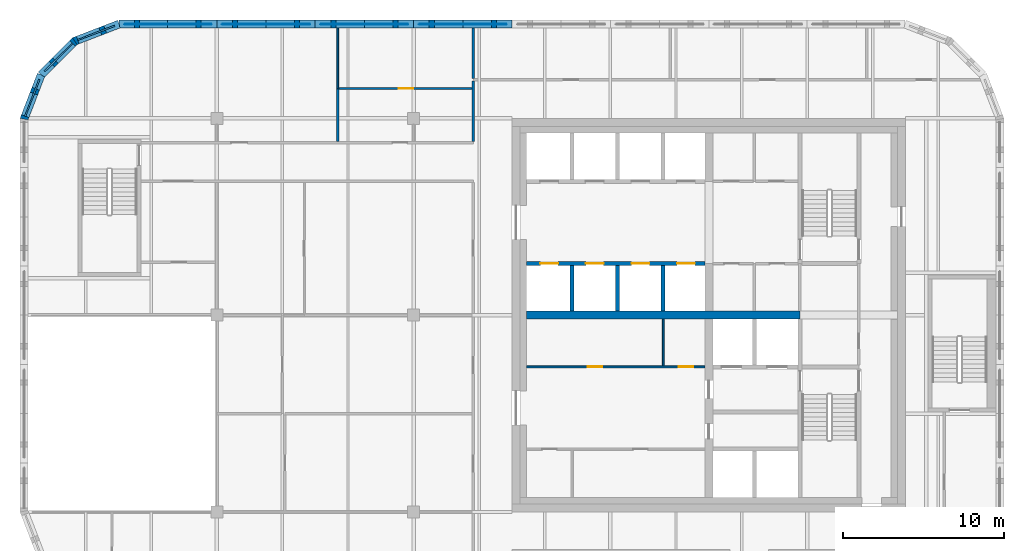
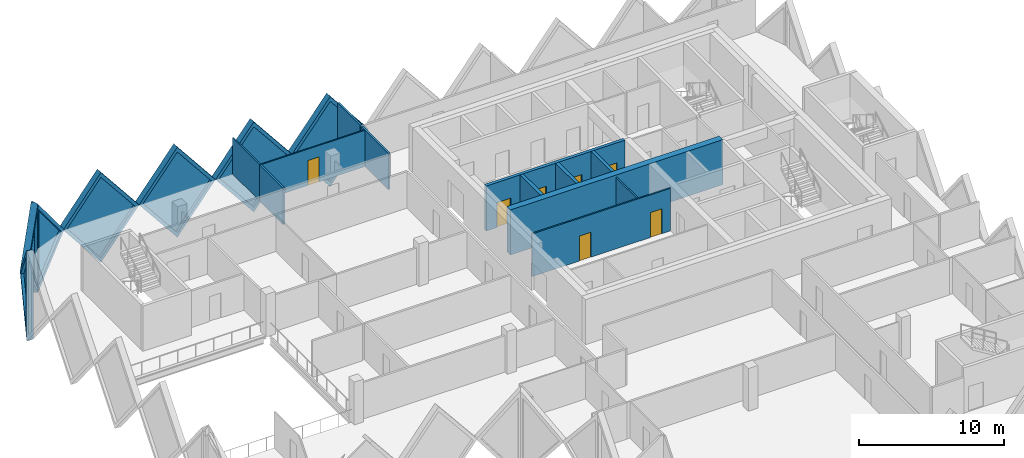
# One storey, part 8 of 12: 19 walls, 7 doors, 7 plates, 14 openings.
"""IFC4 building model written with IfcOpenShell, lengths in metres."""

from ifc_helpers import new_model, si_unit, direction, frame, frame_2d, origin, place, context, subcontext, project, spatial, polyline, rectangle, outline, extrude, faceted_brep, source, transform, mapped, material, layer, layer_set, type_object, element, fill, save


model = new_model("IFC4")

# Units and contexts
model_context = context("Model", 3, precision=1e-05, world=origin(), true_north=direction((0.0, 1.0)))
body_context = subcontext(model_context, "Body", "Model", "MODEL_VIEW")
ifc_project = project(units=[si_unit("LENGTHUNIT", "METRE"), si_unit("AREAUNIT", "SQUARE_METRE"), si_unit("VOLUMEUNIT", "CUBIC_METRE"), si_unit("PLANEANGLEUNIT", "RADIAN"), si_unit("MASSUNIT", "GRAM", prefix="KILO")], contexts=[model_context])

# Site, building, storey
site_placement = place(None, origin())
site = spatial("IfcSite", under=ifc_project, at=site_placement, CompositionType="ELEMENT")
building_placement = place(site_placement, origin())
building = spatial("IfcBuilding", under=site, at=building_placement, Name="Tessera Gate Towers", CompositionType="ELEMENT")
storey_placement = place(building_placement, frame((0.0, 0.0, 209.300048828125)))
storey = spatial("IfcBuildingStorey", under=building, at=storey_placement, Name="L52", CompositionType="ELEMENT", Elevation=209.300048828125)

# Wall, openings, doors
ifc_material_1 = material(Name="Concrete C40/50", Category="concrete")
ifc_layer_1 = layer(ifc_material_1, 0.25)
ifc_layer_set_1 = layer_set([ifc_layer_1], Name="CORE ENCLOSURE WALL 250")
wall_type_1 = type_object("IfcWallType", Name="CORE ENCLOSURE WALL 250", PredefinedType="SOLIDWALL", material=ifc_layer_set_1)
wall_1_placement = place(storey_placement, frame((31.39990234375, 39.800048828125, 0.0), z_axis=(0.0, 0.0, 1.0), x_axis=(1.0, 0.0, 0.0)))
wall_1 = element("IfcWall", 1, at=wall_1_placement, inside=storey, type_object=wall_type_1, Name="L52 shaft and stair enclosure wall", PredefinedType="SOLIDWALL", context=body_context, shape_type="SweptSolid", body=[
    extrude(rectangle(XDim=11.050048828125, YDim=0.25, at=frame_2d((5.52490234375, 0.0))), origin(), (0.0, 0.0, 1.0), 3.800048828125),
])
shared_shape_1 = source(origin(), body_context, "Body", "SweptSolid", [
    extrude(rectangle(XDim=1.10009765625, YDim=2.10009765625, at=frame_2d((0.550048828125, 1.050048828125))), frame((0.0, 0.135009765625, 0.0), z_axis=(0.0, -1.0, 0.0), x_axis=(1.0, 0.0, 0.0)), (0.0, 0.0, 1.0), 0.27001953125),
])
opening_1_placement = place(wall_1_placement, frame((0.862548828125, 0.0, 0.0)))
opening_1 = element("IfcOpeningElement", 2, at=opening_1_placement, cuts=wall_1, Name="Opening LD-HR1", PredefinedType="OPENING", context=body_context, shape_type="MappedRepresentation", body=[
    mapped(shared_shape_1, transform((0.0, 0.0, 0.0), scale=1.0)),
])
opening_2_placement = place(wall_1_placement, frame((3.6875, 0.0, 0.0)))
opening_2 = element("IfcOpeningElement", 3, at=opening_2_placement, cuts=wall_1, Name="Opening LD-HR2", PredefinedType="OPENING", context=body_context, shape_type="MappedRepresentation", body=[
    mapped(shared_shape_1, transform((0.0, 0.0, 0.0), scale=1.0)),
])
opening_3_placement = place(wall_1_placement, frame((6.512451171875, 0.0, 0.0)))
opening_3 = element("IfcOpeningElement", 4, at=opening_3_placement, cuts=wall_1, Name="Opening LD-HR3", PredefinedType="OPENING", context=body_context, shape_type="MappedRepresentation", body=[
    mapped(shared_shape_1, transform((0.0, 0.0, 0.0), scale=1.0)),
])
opening_4_placement = place(wall_1_placement, frame((9.33740234375, 0.0, 0.0)))
opening_4 = element("IfcOpeningElement", 5, at=opening_4_placement, cuts=wall_1, Name="Opening LD-HR4", PredefinedType="OPENING", context=body_context, shape_type="MappedRepresentation", body=[
    mapped(shared_shape_1, transform((0.0, 0.0, 0.0), scale=1.0)),
])
ifc_material_2 = material(Name="Stainless steel", Category="steel")
door_type_1 = type_object("IfcDoorType", Name="CORE DOOR LD 1100x2100", OperationType="DOUBLE_DOOR_SLIDING", PredefinedType="DOOR", material=ifc_material_2)
shared_shape_2 = source(origin(), body_context, "Body", "SweptSolid", [
    extrude(rectangle(XDim=1.10009765625, YDim=2.10009765625, at=frame_2d((0.550048828125, 1.050048828125))), frame((0.0, 0.02490234375, 0.0), z_axis=(0.0, -1.0, 0.0), x_axis=(1.0, 0.0, 0.0)), (0.0, 0.0, 1.0), 0.050048828125),
])
door_1_placement = place(opening_1_placement, origin())
door_1 = element("IfcDoor", 6, at=door_1_placement, inside=storey, type_object=door_type_1, Name="Landing door HR1 L52", OperationType="DOUBLE_DOOR_SLIDING", OverallHeight=2.10009765625, OverallWidth=1.10009765625, PredefinedType="DOOR", context=body_context, shape_type="MappedRepresentation", body=[
    mapped(shared_shape_2, transform((0.0, 0.0, 0.0), scale=1.0)),
])
fill(opening_1, door_1)
door_2_placement = place(opening_2_placement, origin())
door_2 = element("IfcDoor", 7, at=door_2_placement, inside=storey, type_object=door_type_1, Name="Landing door HR2 L52", OperationType="DOUBLE_DOOR_SLIDING", OverallHeight=2.10009765625, OverallWidth=1.10009765625, PredefinedType="DOOR", context=body_context, shape_type="MappedRepresentation", body=[
    mapped(shared_shape_2, transform((0.0, 0.0, 0.0), scale=1.0)),
])
fill(opening_2, door_2)
door_3_placement = place(opening_3_placement, origin())
door_3 = element("IfcDoor", 8, at=door_3_placement, inside=storey, type_object=door_type_1, Name="Landing door HR3 L52", OperationType="DOUBLE_DOOR_SLIDING", OverallHeight=2.10009765625, OverallWidth=1.10009765625, PredefinedType="DOOR", context=body_context, shape_type="MappedRepresentation", body=[
    mapped(shared_shape_2, transform((0.0, 0.0, 0.0), scale=1.0)),
])
fill(opening_3, door_3)
door_4_placement = place(opening_4_placement, origin())
door_4 = element("IfcDoor", 9, at=door_4_placement, inside=storey, type_object=door_type_1, Name="Landing door HR4 L52", OperationType="DOUBLE_DOOR_SLIDING", OverallHeight=2.10009765625, OverallWidth=1.10009765625, PredefinedType="DOOR", context=body_context, shape_type="MappedRepresentation", body=[
    mapped(shared_shape_2, transform((0.0, 0.0, 0.0), scale=1.0)),
])
fill(opening_4, door_4)

# Walls
for number, where, z_axis, x_axis, name in (
    (10, (34.22509765625, 36.85009765625, 0.0), (0.0, 0.0, 1.0), (0.0, 1.0, 0.0), "L52 shaft and stair enclosure wall"),
    (11, (37.050048828125, 36.85009765625, 0.0), (0.0, 0.0, 1.0), (0.0, 1.0, 0.0), "L52 shaft and stair enclosure wall"),
    (12, (39.875, 36.85009765625, 0.0), (0.0, 0.0, 1.0), (0.0, 1.0, 0.0), "L52 shaft and stair enclosure wall"),
):
    element("IfcWall", number, at=place(storey_placement, frame(where, z_axis=z_axis, x_axis=x_axis)), inside=storey, type_object=wall_type_1, Name=name, PredefinedType="SOLIDWALL", context=body_context, shape_type="SweptSolid", body=[
        extrude(rectangle(XDim=2.824951171875, YDim=0.25, at=frame_2d((1.41259765625, 0.0))), origin(), (0.0, 0.0, 1.0), 3.800048828125),
    ])

# Wall, openings, doors
ifc_material_3 = material(Name="Gypsum board on steel studs", Category="steel")
ifc_layer_2 = layer(ifc_material_3, 0.1201171875)
ifc_layer_set_2 = layer_set([ifc_layer_2], Name="CORE PARTITION 120")
wall_type_2 = type_object("IfcWallType", Name="CORE PARTITION 120", PredefinedType="PARTITIONING", material=ifc_layer_set_2)
wall_2_placement = place(storey_placement, frame((31.39990234375, 33.39990234375, 0.0), z_axis=(0.0, 0.0, 1.0), x_axis=(1.0, 0.0, 0.0)))
wall_2 = element("IfcWall", 13, at=wall_2_placement, inside=storey, type_object=wall_type_2, Name="L52 core partition", PredefinedType="PARTITIONING", context=body_context, shape_type="SweptSolid", body=[
    extrude(rectangle(XDim=11.050048828125, YDim=0.1201171875, at=frame_2d((5.52490234375, 0.0))), origin(), (0.0, 0.0, 1.0), 3.599853515625),
])
shared_shape_3 = source(origin(), body_context, "Body", "SweptSolid", [
    extrude(rectangle(XDim=0.89990234375, YDim=2.10009765625, at=frame_2d((0.449951171875, 1.050048828125))), frame((0.0, 0.070068359375, 0.0), z_axis=(0.0, -1.0, 0.0), x_axis=(1.0, 0.0, 0.0)), (0.0, 0.0, 1.0), 0.14013671875),
])
opening_5_placement = place(wall_2_placement, frame((3.78759765625, 0.0, 0.0)))
opening_5 = element("IfcOpeningElement", 14, at=opening_5_placement, cuts=wall_2, Name="Opening RD-T1-32-09", PredefinedType="OPENING", context=body_context, shape_type="MappedRepresentation", body=[
    mapped(shared_shape_3, transform((0.0, 0.0, 0.0), scale=1.0)),
])
opening_6_placement = place(wall_2_placement, frame((9.4375, 0.0, 0.0)))
opening_6 = element("IfcOpeningElement", 15, at=opening_6_placement, cuts=wall_2, Name="Opening RD-T1-32-10", PredefinedType="OPENING", context=body_context, shape_type="MappedRepresentation", body=[
    mapped(shared_shape_3, transform((0.0, 0.0, 0.0), scale=1.0)),
])
ifc_material_4 = material(Name="Hollow steel fire door", Category="steel")
door_type_2 = type_object("IfcDoorType", Name="CORE DOOR RD 900x2100", OperationType="NOTDEFINED", PredefinedType="DOOR", material=ifc_material_4)
shared_shape_4 = source(origin(), body_context, "Body", "SweptSolid", [
    extrude(rectangle(XDim=0.89990234375, YDim=2.10009765625, at=frame_2d((0.449951171875, 1.050048828125))), frame((0.0, 0.02490234375, 0.0), z_axis=(0.0, -1.0, 0.0), x_axis=(1.0, 0.0, 0.0)), (0.0, 0.0, 1.0), 0.050048828125),
])
door_5_placement = place(opening_5_placement, origin())
door_5 = element("IfcDoor", 16, at=door_5_placement, inside=storey, type_object=door_type_2, Name="Core room door", OperationType="SINGLE_SWING_LEFT", OverallHeight=2.10009765625, OverallWidth=0.89990234375, PredefinedType="DOOR", context=body_context, shape_type="MappedRepresentation", body=[
    mapped(shared_shape_4, transform((0.0, 0.0, 0.0), scale=1.0)),
])
fill(opening_5, door_5)
door_6_placement = place(opening_6_placement, origin())
door_6 = element("IfcDoor", 17, at=door_6_placement, inside=storey, type_object=door_type_2, Name="Core room door", OperationType="SINGLE_SWING_RIGHT", OverallHeight=2.10009765625, OverallWidth=0.89990234375, PredefinedType="DOOR", context=body_context, shape_type="MappedRepresentation", body=[
    mapped(shared_shape_4, transform((0.0, 0.0, 0.0), scale=1.0)),
])
fill(opening_6, door_6)

# Walls
wall_3_placement = place(storey_placement, frame((39.875, 33.4599609375, 0.0), z_axis=(0.0, 0.0, 1.0), x_axis=(0.0, 1.0, 0.0)))
element("IfcWall", 18, at=wall_3_placement, inside=storey, type_object=wall_type_2, Name="L52 core partition", PredefinedType="PARTITIONING", context=body_context, shape_type="SweptSolid", body=[
    extrude(rectangle(XDim=2.89013671875, YDim=0.1201171875, at=frame_2d((1.445068359375, 0.0))), origin(), (0.0, 0.0, 1.0), 3.599853515625),
])
ifc_material_5 = material(Name="Concrete C50/60", Category="concrete")
ifc_layer_3 = layer(ifc_material_5, 0.5)
ifc_layer_set_3 = layer_set([ifc_layer_3], Name="CORE SPINE WALL 500 C50/60")
wall_type_3 = type_object("IfcWallType", Name="CORE SPINE WALL 500 C50/60", PredefinedType="SHEAR", material=ifc_layer_set_3)
wall_4_placement = place(storey_placement, frame((31.39990234375, 36.60009765625, 0.0), z_axis=(0.0, 0.0, 1.0), x_axis=(1.0, 0.0, 0.0)))
element("IfcWall", 19, at=wall_4_placement, inside=storey, type_object=wall_type_3, Name="Core wall spine L52", PredefinedType="SHEAR", context=body_context, shape_type="SweptSolid", body=[
    extrude(rectangle(XDim=16.9501953125, YDim=0.5, at=frame_2d((8.47509765625, 0.0))), origin(), (0.0, 0.0, 1.0), 3.800048828125),
])
ifc_material_6 = material(Name="Gypsum board on steel studs, mineral wool", Category="steel")
ifc_layer_4 = layer(ifc_material_6, 0.14990234375)
ifc_layer_set_4 = layer_set([ifc_layer_4], Name="CORRIDOR WALL 150")
wall_type_4 = type_object("IfcWallType", Name="CORRIDOR WALL 150", PredefinedType="PARTITIONING", material=ifc_layer_set_4)
wall_5_placement = place(storey_placement, frame((28.10009765625, 47.3759765625, 0.0), z_axis=(0.0, 0.0, 1.0), x_axis=(0.0, 1.0, 0.0)))
element("IfcWall", 20, at=wall_5_placement, inside=storey, type_object=wall_type_4, Name="T1-L52-PW-048", PredefinedType="PARTITIONING", context=body_context, shape_type="SweptSolid", body=[
    extrude(rectangle(XDim=3.748046875, YDim=0.14990234375, at=frame_2d((1.8740234375, 0.0))), origin(), (0.0, 0.0, 1.0), 3.06689453125),
])
ifc_material_7 = material(Name="Glass", Category="glass")
ifc_layer_5 = layer(ifc_material_7, 0.10009765625)
ifc_layer_set_5 = layer_set([ifc_layer_5], Name="GLAZED PARTITION 100")
wall_type_5 = type_object("IfcWallType", Name="GLAZED PARTITION 100", PredefinedType="PARTITIONING", material=ifc_layer_set_5)
wall_6_placement = place(storey_placement, frame((19.699951171875, 50.65087890625, 0.0), z_axis=(0.0, 0.0, 1.0), x_axis=(0.0, 1.0, 0.0)))
element("IfcWall", 21, at=wall_6_placement, inside=storey, type_object=wall_type_5, Name="T1-L52-PW-051", PredefinedType="PARTITIONING", context=body_context, shape_type="SweptSolid", body=[
    extrude(rectangle(XDim=3.7490234375, YDim=0.10009765625, at=frame_2d((1.87451171875, 0.0))), origin(), (0.0, 0.0, 1.0), 3.06689453125),
])

# Wall, opening, door
wall_7_placement = place(storey_placement, frame((19.77587890625, 50.64990234375, 0.0), z_axis=(0.0, 0.0, 1.0), x_axis=(1.0, 0.0, 0.0)))
wall_7 = element("IfcWall", 22, at=wall_7_placement, inside=storey, type_object=wall_type_5, Name="T1-L52-PW-052", PredefinedType="PARTITIONING", context=body_context, shape_type="SweptSolid", body=[
    extrude(rectangle(XDim=8.248046875, YDim=0.10009765625, at=frame_2d((4.1240234375, 0.0))), origin(), (0.0, 0.0, 1.0), 3.06689453125),
])
shared_shape_5 = source(origin(), body_context, "Body", "SweptSolid", [
    extrude(rectangle(XDim=0.89990234375, YDim=2.10009765625, at=frame_2d((0.449951171875, 1.050048828125))), frame((0.0, 0.06005859375, 0.0), z_axis=(0.0, -1.0, 0.0), x_axis=(1.0, 0.0, 0.0)), (0.0, 0.0, 1.0), 0.1201171875),
])
opening_7_placement = place(wall_7_placement, frame((3.699951171875, 0.0, 0.0)))
opening_7 = element("IfcOpeningElement", 23, at=opening_7_placement, cuts=wall_7, Name="Opening D690-A19-07", PredefinedType="OPENING", context=body_context, shape_type="MappedRepresentation", body=[
    mapped(shared_shape_5, transform((0.0, 0.0, 0.0), scale=1.0)),
])
ifc_material_8 = material(Name="Glass in aluminium frame", Category="aluminium")
door_type_3 = type_object("IfcDoorType", Name="GLAZED DOOR 900 NOT RATED", OperationType="NOTDEFINED", PredefinedType="DOOR", material=ifc_material_8)
door_7_placement = place(opening_7_placement, origin())
door_7 = element("IfcDoor", 24, at=door_7_placement, inside=storey, type_object=door_type_3, Name="T1-L52-PD-019", OperationType="SINGLE_SWING_LEFT", OverallHeight=2.10009765625, OverallWidth=0.89990234375, PredefinedType="DOOR", context=body_context, shape_type="MappedRepresentation", body=[
    mapped(shared_shape_4, transform((0.0, 0.0, 0.0), scale=1.0)),
])
fill(opening_7, door_7)

# Walls
ifc_material_9 = material(Name="Gypsum board on steel studs, mineral wool", Category="steel")
ifc_layer_6 = layer(ifc_material_9, 0.14990234375)
ifc_layer_set_6 = layer_set([ifc_layer_6], Name="TENANCY WALL 150")
wall_type_6 = type_object("IfcWallType", Name="TENANCY WALL 150", PredefinedType="PARTITIONING", material=ifc_layer_set_6)
wall_8_placement = place(storey_placement, frame((19.699951171875, 47.3759765625, 0.0), z_axis=(0.0, 0.0, 1.0), x_axis=(0.0, 1.0, 0.0)))
element("IfcWall", 25, at=wall_8_placement, inside=storey, type_object=wall_type_6, Name="T1-L52-PW-047", PredefinedType="PARTITIONING", context=body_context, shape_type="SweptSolid", body=[
    extrude(rectangle(XDim=3.27392578125, YDim=0.14990234375, at=frame_2d((1.636962890625, 0.0))), origin(), (0.0, 0.0, 1.0), 3.06689453125),
])
wall_9_placement = place(storey_placement, frame((28.10009765625, 51.27587890625, 0.0), z_axis=(0.0, 0.0, 1.0), x_axis=(0.0, 1.0, 0.0)))
element("IfcWall", 26, at=wall_9_placement, inside=storey, type_object=wall_type_6, Name="T1-L52-PW-054", PredefinedType="PARTITIONING", context=body_context, shape_type="SweptSolid", body=[
    extrude(rectangle(XDim=3.1240234375, YDim=0.14990234375, at=frame_2d((1.56201171875, 0.0))), origin(), (0.0, 0.0, 1.0), 3.06689453125),
])

# Wall, opening, plate
ifc_material_10 = material(Name="Precast concrete C60/75 white", Category="concrete")
ifc_layer_7 = layer(ifc_material_10, 0.5)
ifc_layer_set_7 = layer_set([ifc_layer_7], Name="TS1 tessera")
wall_type_7 = type_object("IfcWallType", Name="TS1 tessera", PredefinedType="SOLIDWALL", material=ifc_layer_set_7)
shared_shape_6 = source(origin(), body_context, "Body", "Brep", [
    faceted_brep([(3.050048828125, -0.25, 0.0), (6.099853515625, -0.25, 3.7998046875), (6.099853515625, -0.25, 3.80029296875), (3.050048828125, -0.25, 7.60009765625), (0.0, -0.25, 3.800048828125), (0.0, 0.25, 3.800048828125), (3.050048828125, 0.25, 7.60009765625), (6.099853515625, 0.25, 3.80029296875), (6.099853515625, 0.25, 3.7998046875), (3.050048828125, 0.25, 0.0)], [[[0, 1, 2, 3, 4]], [[5, 6, 7, 8, 9]], [[9, 8, 1, 0]], [[7, 6, 3, 2]], [[6, 5, 4, 3]], [[5, 9, 0, 4]], [[1, 8, 7, 2]]]),
])
wall_10_placement = place(storey_placement, frame((24.39990234375, 54.64990234375, -3.800048828125), z_axis=(0.0, 0.0, 1.0), x_axis=(-1.0, 0.0, 0.0)))
wall_10 = element("IfcWall", 27, at=wall_10_placement, inside=storey, type_object=wall_type_7, Name="Precast tessera T1 TS1-0912", PredefinedType="SOLIDWALL", context=body_context, shape_type="MappedRepresentation", body=[
    mapped(shared_shape_6, transform((0.0, 0.0, 0.0), scale=1.0)),
])
shared_shape_7 = source(origin(), body_context, "Body", "SweptSolid", [
    extrude(outline(polyline([(3.050048828125, 0.3994140625), (5.779541015625, 3.800048828125), (3.050048828125, 7.20068359375), (0.320556640625, 3.800048828125), (3.050048828125, 0.3994140625)])), frame((0.0, 0.260009765625, 0.0), z_axis=(0.0, -1.0, 0.0), x_axis=(1.0, 0.0, 0.0)), (0.0, 0.0, 1.0), 0.52001953125),
])
opening_8_placement = place(wall_10_placement, origin())
opening_8 = element("IfcOpeningElement", 28, at=opening_8_placement, cuts=wall_10, Name="Opening T1-PL2-1856", PredefinedType="OPENING", context=body_context, shape_type="MappedRepresentation", body=[
    mapped(shared_shape_7, transform((0.0, 0.0, 0.0), scale=1.0)),
])
ifc_material_11 = material(Name="Low-e laminated glass", Category="glass")
ifc_layer_8 = layer(ifc_material_11, 0.06005859375)
ifc_layer_set_8 = layer_set([ifc_layer_8], Name="PL2 rhombic pane")
plate_type = type_object("IfcPlateType", Name="PL2 rhombic pane", PredefinedType="SHEET", material=ifc_layer_set_8)
shared_shape_8 = source(origin(), body_context, "Body", "SweptSolid", [
    extrude(outline(polyline([(3.050048828125, 0.3994140625), (5.779541015625, 3.800048828125), (3.050048828125, 7.20068359375), (0.320556640625, 3.800048828125), (3.050048828125, 0.3994140625)])), frame((0.0, 0.030029296875, 0.0), z_axis=(0.0, -1.0, 0.0), x_axis=(1.0, 0.0, 0.0)), (0.0, 0.0, 1.0), 0.06005859375),
])
plate_1_placement = place(opening_8_placement, origin())
plate_1 = element("IfcPlate", 29, at=plate_1_placement, inside=storey, type_object=plate_type, Name="Glass pane T1 PL2-1856", PredefinedType="SHEET", context=body_context, shape_type="MappedRepresentation", body=[
    mapped(shared_shape_8, transform((0.0, 0.0, 0.0), scale=1.0)),
])
fill(opening_8, plate_1)

shared_shape_9 = source(origin(), body_context, "Body", "SweptSolid", [
    extrude(outline(polyline([(3.050048828125, 0.0), (6.10009765625, 3.800048828125), (3.050048828125, 7.60009765625), (0.0, 3.800048828125), (3.050048828125, 0.0)])), frame((0.0, 0.25, 0.0), z_axis=(0.0, -1.0, 0.0), x_axis=(1.0, 0.0, 0.0)), (0.0, 0.0, 1.0), 0.5),
])
wall_11_placement = place(storey_placement, frame((30.5, 54.64990234375, -3.800048828125), z_axis=(0.0, 0.0, 1.0), x_axis=(-1.0, 0.0, 0.0)))
wall_11 = element("IfcWall", 30, at=wall_11_placement, inside=storey, type_object=wall_type_7, Name="Precast tessera T1 TS1-0911", PredefinedType="SOLIDWALL", context=body_context, shape_type="MappedRepresentation", body=[
    mapped(shared_shape_9, transform((0.0, 0.0, 0.0), scale=1.0)),
])
opening_9_placement = place(wall_11_placement, origin())
opening_9 = element("IfcOpeningElement", 31, at=opening_9_placement, cuts=wall_11, Name="Opening T1-PL2-1855", PredefinedType="OPENING", context=body_context, shape_type="MappedRepresentation", body=[
    mapped(shared_shape_7, transform((0.0, 0.0, 0.0), scale=1.0)),
])
plate_2_placement = place(opening_9_placement, origin())
plate_2 = element("IfcPlate", 32, at=plate_2_placement, inside=storey, type_object=plate_type, Name="Glass pane T1 PL2-1855", PredefinedType="SHEET", context=body_context, shape_type="MappedRepresentation", body=[
    mapped(shared_shape_8, transform((0.0, 0.0, 0.0), scale=1.0)),
])
fill(opening_9, plate_2)

wall_12_placement = place(storey_placement, frame((18.300048828125, 54.64990234375, -3.800048828125), z_axis=(0.0, 0.0, 1.0), x_axis=(-1.0, 0.0, 0.0)))
wall_12 = element("IfcWall", 33, at=wall_12_placement, inside=storey, type_object=wall_type_7, Name="Precast tessera T1 TS1-0913", PredefinedType="SOLIDWALL", context=body_context, shape_type="MappedRepresentation", body=[
    mapped(shared_shape_9, transform((0.0, 0.0, 0.0), scale=1.0)),
])
opening_10_placement = place(wall_12_placement, origin())
opening_10 = element("IfcOpeningElement", 34, at=opening_10_placement, cuts=wall_12, Name="Opening T1-PL2-1857", PredefinedType="OPENING", context=body_context, shape_type="MappedRepresentation", body=[
    mapped(shared_shape_7, transform((0.0, 0.0, 0.0), scale=1.0)),
])
plate_3_placement = place(opening_10_placement, origin())
plate_3 = element("IfcPlate", 35, at=plate_3_placement, inside=storey, type_object=plate_type, Name="Glass pane T1 PL2-1857", PredefinedType="SHEET", context=body_context, shape_type="MappedRepresentation", body=[
    mapped(shared_shape_8, transform((0.0, 0.0, 0.0), scale=1.0)),
])
fill(opening_10, plate_3)

shared_shape_10 = source(origin(), body_context, "Body", "Brep", [
    faceted_brep([(3.050048828125, -0.25, 0.0), (6.053466796875, -0.25, 3.800048828125), (3.050048828125, -0.25, 7.60009765625), (0.0, -0.25, 3.800048828125), (0.0, 0.25, 3.800048828125), (3.050048828125, 0.25, 7.60009765625), (6.0068359375, 0.25, 3.85888671875), (6.0068359375, 0.25, 3.7412109375), (3.050048828125, 0.25, 0.0), (6.053466796875, 0.0, 3.800048828125)], [[[0, 1, 2, 3]], [[4, 5, 6, 7, 8]], [[8, 7, 9, 1, 0]], [[6, 5, 2, 1, 9]], [[5, 4, 3, 2]], [[4, 8, 0, 3]], [[9, 7, 6]]]),
])
wall_13_placement = place(storey_placement, frame((12.199951171875, 54.64990234375, -3.800048828125), z_axis=(0.0, 0.0, 1.0), x_axis=(-1.0, 0.0, 0.0)))
wall_13 = element("IfcWall", 36, at=wall_13_placement, inside=storey, type_object=wall_type_7, Name="Precast tessera T1 TS1-0914", PredefinedType="SOLIDWALL", context=body_context, shape_type="MappedRepresentation", body=[
    mapped(shared_shape_10, transform((0.0, 0.0, 0.0), scale=1.0)),
])
shared_shape_11 = source(origin(), body_context, "Body", "SweptSolid", [
    extrude(outline(polyline([(3.048583984375, 0.4013671875), (5.73486328125, 3.800048828125), (3.048583984375, 7.19873046875), (0.320556640625, 3.800048828125), (3.048583984375, 0.4013671875)])), frame((0.0, 0.260009765625, 0.0), z_axis=(0.0, -1.0, 0.0), x_axis=(1.0, 0.0, 0.0)), (0.0, 0.0, 1.0), 0.52001953125),
])
opening_11_placement = place(wall_13_placement, origin())
opening_11 = element("IfcOpeningElement", 37, at=opening_11_placement, cuts=wall_13, Name="Opening T1-PL2-1858", PredefinedType="OPENING", context=body_context, shape_type="MappedRepresentation", body=[
    mapped(shared_shape_11, transform((0.0, 0.0, 0.0), scale=1.0)),
])
shared_shape_12 = source(origin(), body_context, "Body", "SweptSolid", [
    extrude(outline(polyline([(3.048583984375, 0.4013671875), (5.73486328125, 3.800048828125), (3.048583984375, 7.19873046875), (0.320556640625, 3.800048828125), (3.048583984375, 0.4013671875)])), frame((0.0, 0.030029296875, 0.0), z_axis=(0.0, -1.0, 0.0), x_axis=(1.0, 0.0, 0.0)), (0.0, 0.0, 1.0), 0.06005859375),
])
plate_4_placement = place(opening_11_placement, origin())
plate_4 = element("IfcPlate", 38, at=plate_4_placement, inside=storey, type_object=plate_type, Name="Glass pane T1 PL2-1858", PredefinedType="SHEET", context=body_context, shape_type="MappedRepresentation", body=[
    mapped(shared_shape_12, transform((0.0, 0.0, 0.0), scale=1.0)),
])
fill(opening_11, plate_4)

ifc_material_12 = material(Name="Precast concrete C60/75 white", Category="concrete")
ifc_layer_9 = layer(ifc_material_12, 0.5)
ifc_layer_set_9 = layer_set([ifc_layer_9], Name="TS3 corner tessera")
wall_type_8 = type_object("IfcWallType", Name="TS3 corner tessera", PredefinedType="SOLIDWALL", material=ifc_layer_set_9)
shared_shape_13 = source(origin(), body_context, "Body", "Brep", [
    faceted_brep([(2.950439453125, -0.25, 0.0), (3.00341796875, -0.25, 0.068359375), (3.00341796875, -0.25, 7.53173828125), (2.950439453125, -0.25, 7.60009765625), (0.0, -0.25, 3.800048828125), (0.046630859375, 0.25, 3.860107421875), (2.897705078125, 0.25, 7.531982421875), (2.897705078125, 0.25, 0.068115234375), (0.046630859375, 0.25, 3.739990234375), (2.950439453125, 0.00048828125, 0.0), (2.950439453125, 0.00048828125, 7.60009765625), (0.0, 0.0, 3.800048828125)], [[[0, 1, 2, 3, 4]], [[5, 6, 7, 8]], [[1, 0, 9]], [[10, 3, 2]], [[6, 5, 11, 4, 3, 10]], [[8, 7, 9, 0, 4, 11]], [[8, 11, 5]], [[1, 9, 7, 6, 10, 2]]]),
])
wall_14_placement = place(storey_placement, frame((6.146484375, 54.64990234375, -3.800048828125), z_axis=(0.0, 0.0, 1.0), x_axis=(-0.932997369089, -0.359883188373, 0.0)))
wall_14 = element("IfcWall", 39, at=wall_14_placement, inside=storey, type_object=wall_type_8, Name="Precast corner tessera T1 TS3-1209", PredefinedType="SOLIDWALL", context=body_context, shape_type="MappedRepresentation", body=[
    mapped(shared_shape_13, transform((0.0, 0.0, 0.0), scale=1.0)),
])
shared_shape_14 = source(origin(), body_context, "Body", "SweptSolid", [
    extrude(outline(polyline([(2.75048828125, 6.934814453125), (0.31640625, 3.800048828125), (2.75048828125, 0.665283203125), (2.75048828125, 6.934814453125)])), frame((0.0, 0.260009765625, 0.0), z_axis=(0.0, -1.0, 0.0), x_axis=(1.0, 0.0, 0.0)), (0.0, 0.0, 1.0), 0.52001953125),
])
opening_12_placement = place(wall_14_placement, origin())
opening_12 = element("IfcOpeningElement", 40, at=opening_12_placement, cuts=wall_14, Name="Opening T1-PL2-1859", PredefinedType="OPENING", context=body_context, shape_type="MappedRepresentation", body=[
    mapped(shared_shape_14, transform((0.0, 0.0, 0.0), scale=1.0)),
])
shared_shape_15 = source(origin(), body_context, "Body", "SweptSolid", [
    extrude(outline(polyline([(2.75048828125, 6.934814453125), (0.31640625, 3.800048828125), (2.75048828125, 0.665283203125), (2.75048828125, 6.934814453125)])), frame((0.0, 0.030029296875, 0.0), z_axis=(0.0, -1.0, 0.0), x_axis=(1.0, 0.0, 0.0)), (0.0, 0.0, 1.0), 0.06005859375),
])
plate_5_placement = place(opening_12_placement, origin())
plate_5 = element("IfcPlate", 41, at=plate_5_placement, inside=storey, type_object=plate_type, Name="Glass pane T1 PL2-1859", PredefinedType="SHEET", context=body_context, shape_type="MappedRepresentation", body=[
    mapped(shared_shape_15, transform((0.0, 0.0, 0.0), scale=1.0)),
])
fill(opening_12, plate_5)

shared_shape_16 = source(origin(), body_context, "Body", "Brep", [
    faceted_brep([(0.052978515625, -0.25, 0.0), (2.9970703125, -0.25, 3.800048828125), (0.052978515625, -0.25, 7.60009765625), (0.0, -0.25, 7.531982421875), (0.0, -0.25, 0.068115234375), (0.10595703125, 0.25, 7.53173828125), (2.944091796875, 0.25, 3.8681640625), (2.944091796875, 0.25, 3.73193359375), (0.10595703125, 0.25, 0.068359375), (2.9970703125, 0.000244140625, 3.800048828125), (0.052978515625, 0.0, 0.0), (0.052978515625, 0.0, 7.60009765625)], [[[0, 1, 2, 3, 4]], [[5, 6, 7, 8]], [[8, 7, 9, 1, 0, 10]], [[6, 5, 11, 2, 1, 9]], [[3, 2, 11]], [[10, 0, 4]], [[8, 10, 4, 3, 11, 5]], [[9, 7, 6]]]),
])
wall_15_placement = place(storey_placement, frame((3.43115234375, 53.62548828125, -3.800048828125), z_axis=(0.0, 0.0, 1.0), x_axis=(-0.707106781187, -0.707106781187, 0.0)))
wall_15 = element("IfcWall", 42, at=wall_15_placement, inside=storey, type_object=wall_type_8, Name="Precast corner tessera T1 TS3-1210", PredefinedType="SOLIDWALL", context=body_context, shape_type="MappedRepresentation", body=[
    mapped(shared_shape_16, transform((0.0, 0.0, 0.0), scale=1.0)),
])
shared_shape_17 = source(origin(), body_context, "Body", "SweptSolid", [
    extrude(outline(polyline([(0.2529296875, 0.666259765625), (2.680908203125, 3.800048828125), (0.2529296875, 6.93359375), (0.2529296875, 0.666259765625)])), frame((0.0, 0.260009765625, 0.0), z_axis=(0.0, -1.0, 0.0), x_axis=(1.0, 0.0, 0.0)), (0.0, 0.0, 1.0), 0.52001953125),
])
opening_13_placement = place(wall_15_placement, origin())
opening_13 = element("IfcOpeningElement", 43, at=opening_13_placement, cuts=wall_15, Name="Opening T1-PL2-1860", PredefinedType="OPENING", context=body_context, shape_type="MappedRepresentation", body=[
    mapped(shared_shape_17, transform((0.0, 0.0, 0.0), scale=1.0)),
])
shared_shape_18 = source(origin(), body_context, "Body", "SweptSolid", [
    extrude(outline(polyline([(0.2529296875, 0.666259765625), (2.680908203125, 3.800048828125), (0.2529296875, 6.93359375), (0.2529296875, 0.666259765625)])), frame((0.0, 0.030029296875, 0.0), z_axis=(0.0, -1.0, 0.0), x_axis=(1.0, 0.0, 0.0)), (0.0, 0.0, 1.0), 0.06005859375),
])
plate_6_placement = place(opening_13_placement, origin())
plate_6 = element("IfcPlate", 44, at=plate_6_placement, inside=storey, type_object=plate_type, Name="Glass pane T1 PL2-1860", PredefinedType="SHEET", context=body_context, shape_type="MappedRepresentation", body=[
    mapped(shared_shape_18, transform((0.0, 0.0, 0.0), scale=1.0)),
])
fill(opening_13, plate_6)

shared_shape_19 = source(origin(), body_context, "Body", "Brep", [
    faceted_brep([(2.950439453125, -0.25, 0.0), (2.9970703125, -0.25, 0.05908203125), (2.9970703125, -0.25, 7.541015625), (2.950439453125, -0.25, 7.60009765625), (0.0, -0.25, 3.800048828125), (0.052978515625, 0.25, 3.8681640625), (2.904052734375, 0.25, 7.540283203125), (2.904052734375, 0.25, 0.059814453125), (0.052978515625, 0.25, 3.73193359375), (2.950439453125, 0.00048828125, 0.0), (2.950439453125, 0.00048828125, 7.60009765625), (0.0, 0.0, 3.800048828125)], [[[0, 1, 2, 3, 4]], [[5, 6, 7, 8]], [[1, 0, 9]], [[10, 3, 2]], [[6, 5, 11, 4, 3, 10]], [[8, 7, 9, 0, 4, 11]], [[8, 11, 5]], [[1, 9, 7, 6, 10, 2]]]),
])
wall_16_placement = place(storey_placement, frame((1.31201171875, 51.50634765625, -3.800048828125), z_axis=(0.0, 0.0, 1.0), x_axis=(-0.359944998003, -0.932973525033, 0.0)))
wall_16 = element("IfcWall", 45, at=wall_16_placement, inside=storey, type_object=wall_type_8, Name="Precast corner tessera T1 TS3-1211", PredefinedType="SOLIDWALL", context=body_context, shape_type="MappedRepresentation", body=[
    mapped(shared_shape_19, transform((0.0, 0.0, 0.0), scale=1.0)),
])
opening_14_placement = place(wall_16_placement, origin())
opening_14 = element("IfcOpeningElement", 46, at=opening_14_placement, cuts=wall_16, Name="Opening T1-PL2-1861", PredefinedType="OPENING", context=body_context, shape_type="MappedRepresentation", body=[
    mapped(shared_shape_14, transform((0.0, 0.0, 0.0), scale=1.0)),
])
plate_7_placement = place(opening_14_placement, origin())
plate_7 = element("IfcPlate", 47, at=plate_7_placement, inside=storey, type_object=plate_type, Name="Glass pane T1 PL2-1861", PredefinedType="SHEET", context=body_context, shape_type="MappedRepresentation", body=[
    mapped(shared_shape_15, transform((0.0, 0.0, 0.0), scale=1.0)),
])
fill(opening_14, plate_7)

save(model, "model.ifc")
